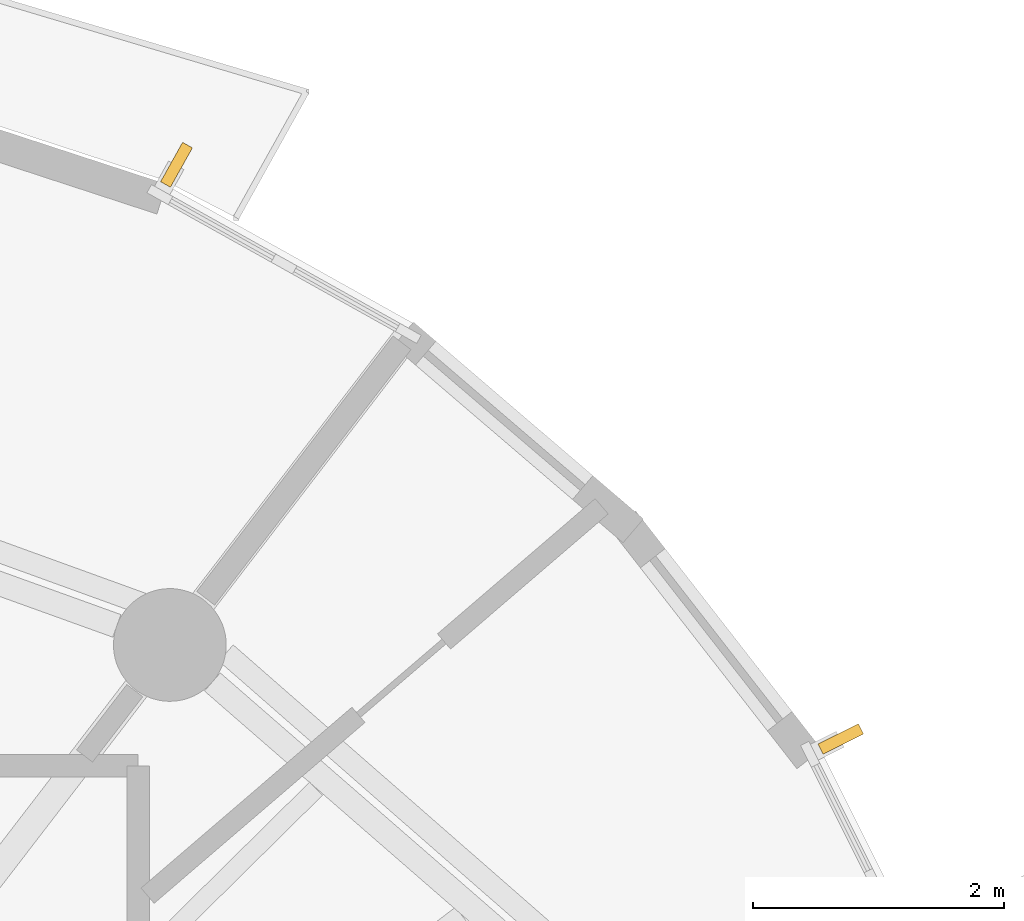
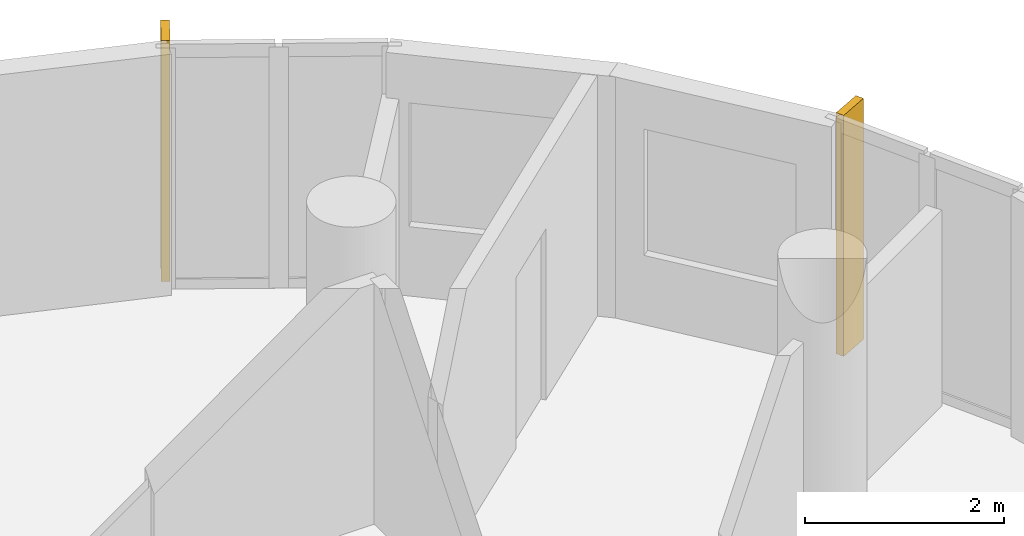
# One storey, part 10 of 10: 2 shading devices.
"""IFC4 building model written with IfcOpenShell, lengths in metres."""

from ifc_helpers import new_model, si_unit, direction, frame, origin, origin_2d, place, context, subcontext, project, spatial, rectangle, extrude, material, layer, layer_set, type_object, element, save


model = new_model("IFC4")

# Units and contexts
model_context = context("Model", 3, precision=1e-05, world=origin(), true_north=direction((0.0, 1.0)))
body_context = subcontext(model_context, "Body", "Model", "MODEL_VIEW")
ifc_project = project(units=[si_unit("LENGTHUNIT", "METRE"), si_unit("AREAUNIT", "SQUARE_METRE"), si_unit("VOLUMEUNIT", "CUBIC_METRE"), si_unit("PLANEANGLEUNIT", "RADIAN"), si_unit("MASSUNIT", "GRAM", prefix="KILO")], contexts=[model_context])

# Site, building, storey
site_placement = place(None, origin())
site = spatial("IfcSite", under=ifc_project, at=site_placement, CompositionType="ELEMENT")
building_placement = place(site_placement, origin())
building = spatial("IfcBuilding", under=site, at=building_placement, Name="Veldorim Arch Residences", CompositionType="ELEMENT")
storey_placement = place(building_placement, frame((0.0, 0.0, 182.239990234375)))
storey = spatial("IfcBuildingStorey", under=building, at=storey_placement, Name="L54", CompositionType="ELEMENT", Elevation=182.239990234375)

# Shading devices
ifc_material = material(Name="Terracotta Ceramic", Category="masonry")
ifc_layer = layer(ifc_material, 0.090087890625, Name="Vertical Extruded Terracotta Baguette Sun-Shading Fin")
ifc_layer_set = layer_set([ifc_layer], Name="Terracotta Ceramic")
shading_device_type = type_object("IfcShadingDeviceType", Name="Vertical Extruded Terracotta Baguette Sun-Shading Fin", PredefinedType="USERDEFINED", material=ifc_layer_set)
for number, where, z_axis, x_axis, name in (
    (1, (39.38671875, 37.378173828125, 0.0), (0.0, 0.0, 1.0), (0.873007211547, -0.487707298065, 0.0), "L54 vertical terracotta sun-shading fin 02"),
    (2, (44.688720703125, 32.794921875, 0.0), (0.0, 0.0, 1.0), (0.446978620671, -0.894544639838, 0.0), "L54 vertical terracotta sun-shading fin 35"),
):
    element("IfcShadingDevice", number, at=place(storey_placement, frame(where, z_axis=z_axis, x_axis=x_axis)), inside=storey, type_object=shading_device_type, Name=name, ObjectType="FIN", PredefinedType="USERDEFINED", context=body_context, shape_type="SweptSolid", body=[
        extrude(rectangle(XDim=0.090087890625, YDim=0.360107421875, at=origin_2d()), origin(), (0.0, 0.0, 1.0), 2.9599609375),
    ])

save(model, "model.ifc")
